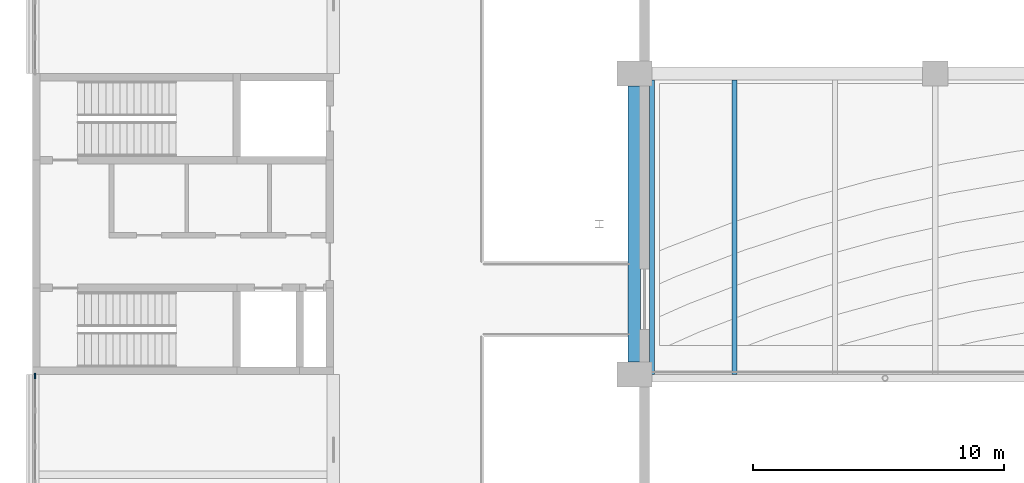
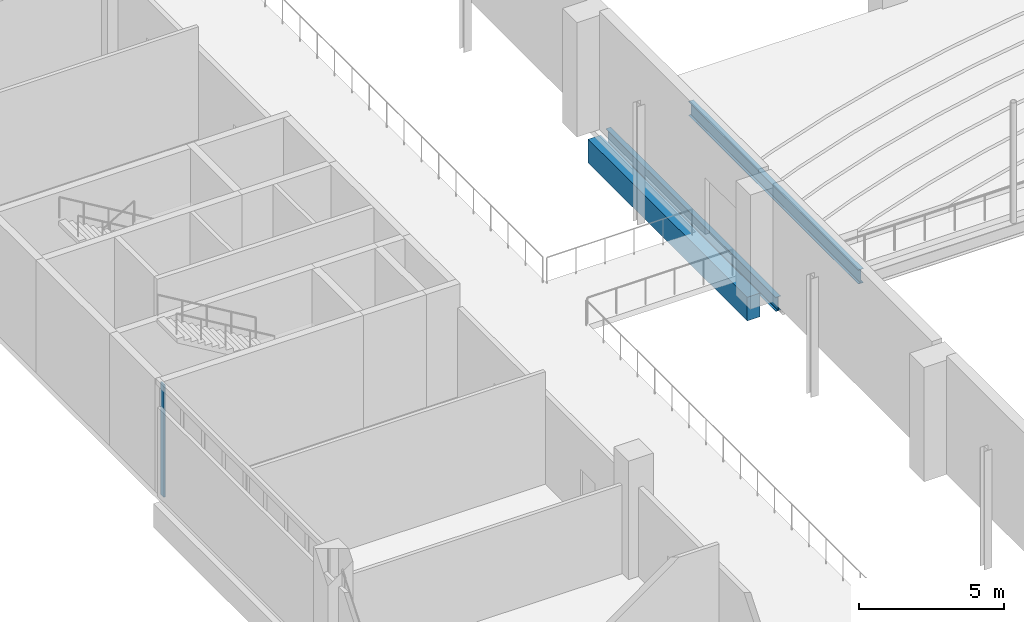
# One storey, part 22 of 69: 3 beams, 1 member, 1 element without a shape of its own.
"""IFC4 building model written with IfcOpenShell, lengths in metres."""

from ifc_helpers import new_model, si_unit, direction, frame, origin, origin_2d, place, context, subcontext, project, spatial, rectangle, i_section, extrude, material, layer, layer_set, material_profile, profile_set, type_object, element, aggregate, save


model = new_model("IFC4")

# Units and contexts
model_context = context("Model", 3, precision=1e-05, world=origin(), true_north=direction((0.0, 1.0)))
body_context = subcontext(model_context, "Body", "Model", "MODEL_VIEW")
ifc_project = project(units=[si_unit("LENGTHUNIT", "METRE"), si_unit("AREAUNIT", "SQUARE_METRE"), si_unit("VOLUMEUNIT", "CUBIC_METRE"), si_unit("PLANEANGLEUNIT", "RADIAN"), si_unit("MASSUNIT", "GRAM", prefix="KILO")], contexts=[model_context])

# Site, building, storey
site_placement = place(None, origin())
site = spatial("IfcSite", under=ifc_project, at=site_placement, CompositionType="ELEMENT")
building_placement = place(site_placement, origin())
building = spatial("IfcBuilding", under=site, at=building_placement, Name="Lilac Gate Convention Centre", CompositionType="ELEMENT")
storey_placement = place(building_placement, frame((0.0, 0.0, 12.0)))
storey = spatial("IfcBuildingStorey", under=building, at=storey_placement, Name="L02", CompositionType="ELEMENT", Elevation=12.0)

# Beams
ifc_material_1 = material(Name="Steel Q355B", Category="steel")
ifc_material_profile_1 = material_profile(ifc_material_1, i_section(OverallWidth=0.199951171875, OverallDepth=0.60009765625, WebThickness=0.010986328125, FlangeThickness=0.01708984375, FilletRadius=0.012939453125, at=origin_2d()), Name="HN600x200x11x17")
ifc_profile_set_1 = profile_set([ifc_material_profile_1], Name="Steel Q355B")
beam_type_1 = type_object("IfcBeamType", Name="Balcony beam HN600x200x11x17", PredefinedType="BEAM", material=ifc_profile_set_1)
for number, where, z_axis, x_axis, name in (
    (1, (30.699951171875, 150.0009765625, -0.550048828125), (0.0, 1.0, 0.0), (-1.0, 0.0, 0.0), "BB2 L02 balcony beam 1"),
    (2, (34.0, 150.0009765625, -0.550048828125), (0.0, 1.0, 0.0), (-1.0, 0.0, 0.0), "BB2 L02 balcony beam 2"),
):
    element("IfcBeam", number, at=place(storey_placement, frame(where, z_axis=z_axis, x_axis=x_axis)), inside=storey, type_object=beam_type_1, Name=name, PredefinedType="BEAM", context=body_context, shape_type="SweptSolid", body=[
        extrude(i_section(OverallWidth=0.199951171875, OverallDepth=0.60009765625, WebThickness=0.010986328125, FlangeThickness=0.01708984375, FilletRadius=0.012939453125, at=origin_2d()), origin(), (0.0, 0.0, 1.0), 11.7490234375),
    ])

# Curtain wall, member
ifc_material_2 = material(Name="Aluminium framed double glazing", Category="aluminium")
ifc_layer = layer(ifc_material_2, 0.199951171875)
ifc_layer_set = layer_set([ifc_layer], Name="Aluminium framed double glazing")
curtain_wall_type = type_object("IfcCurtainWallType", Name="Unitised curtain wall 1500", PredefinedType="NOTDEFINED", material=ifc_layer_set)
curtain_wall_placement = place(storey_placement, origin())
curtain_wall = element("IfcCurtainWall", 3, at=curtain_wall_placement, inside=storey, type_object=curtain_wall_type, Name="Curtain wall PW L02 5", PredefinedType="NOTDEFINED")
ifc_material_3 = material(Name="Aluminium alloy 6063", Category="aluminium")
ifc_material_profile_2 = material_profile(ifc_material_3, rectangle(XDim=0.06005859375, YDim=0.219970703125, at=origin_2d()), Name="Curtain wall mullion 60 x 220")
ifc_profile_set_2 = profile_set([ifc_material_profile_2], Name="Aluminium alloy 6063")
member_type = type_object("IfcMemberType", Name="Curtain wall mullion 60 x 220", PredefinedType="MULLION", material=ifc_profile_set_2)
member_placement = place(storey_placement, frame((6.10009765625, 149.93994140625, 0.0), z_axis=(0.0, 0.0, 1.0), x_axis=(1.0, 0.0, 0.0)))
member = element("IfcMember", 4, at=member_placement, type_object=member_type, Name="CW mullion 1", PredefinedType="MULLION", context=body_context, shape_type="SweptSolid", body=[
    extrude(rectangle(XDim=0.06005859375, YDim=0.219970703125, at=origin_2d()), origin(), (0.0, 0.0, 1.0), 4.75),
])
aggregate(curtain_wall, [member])

# Beam
ifc_material_4 = material(Name="Concrete C40", Category="concrete")
ifc_material_profile_3 = material_profile(ifc_material_4, rectangle(XDim=0.5, YDim=1.0, at=origin_2d()), Name="RC 500x1000")
ifc_profile_set_3 = profile_set([ifc_material_profile_3], Name="Concrete C40")
beam_type_2 = type_object("IfcBeamType", Name="Primary beam 500x1000 C40", PredefinedType="BEAM", material=ifc_profile_set_3)
beam_placement = place(storey_placement, frame((30.0, 150.5, -0.75), z_axis=(0.0, 1.0, 0.0), x_axis=(-1.0, 0.0, 0.0)))
element("IfcBeam", 5, at=beam_placement, inside=storey, type_object=beam_type_2, Name="RB1 L02 3/L-3/M", PredefinedType="BEAM", context=body_context, shape_type="SweptSolid", body=[
    extrude(rectangle(XDim=0.5, YDim=1.0, at=origin_2d()), origin(), (0.0, 0.0, 1.0), 11.0),
])

save(model, "model.ifc")
